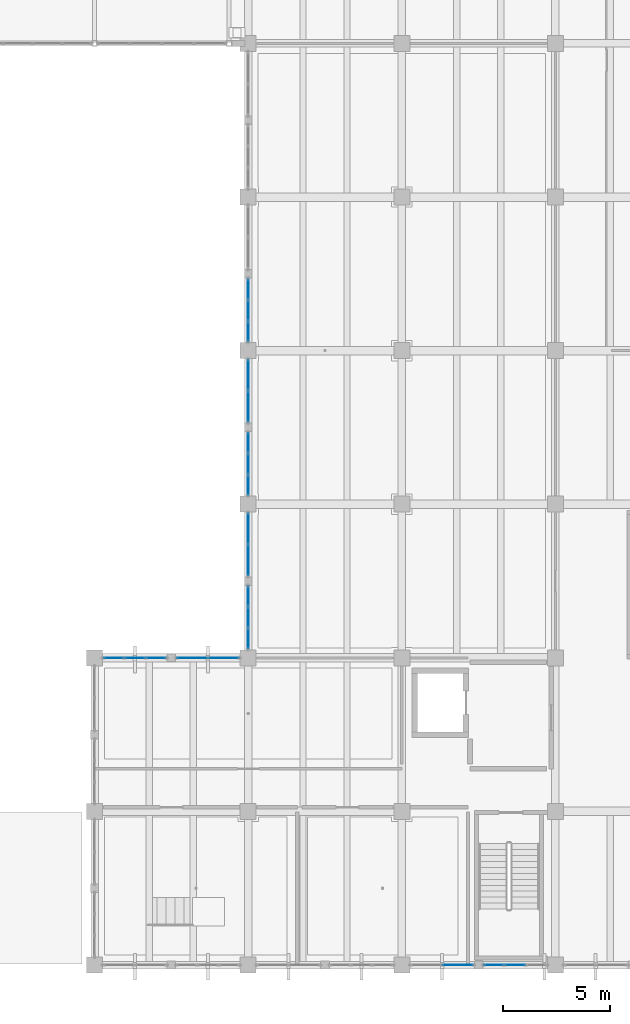
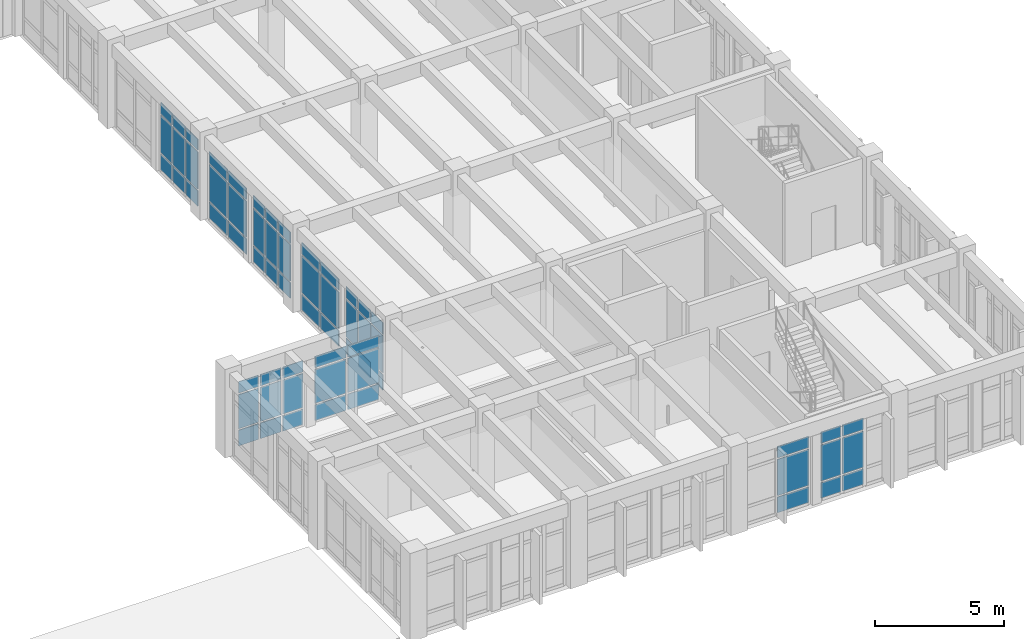
# One storey, part 87 of 136: 63 plates, 9 elements without a shape of their own.
"""IFC4 building model written with IfcOpenShell, lengths in metres."""

from ifc_helpers import new_model, si_unit, direction, frame, origin, origin_2d, place, context, subcontext, project, spatial, rectangle, extrude, material, layer, layer_set, type_object, element, aggregate, save


model = new_model("IFC4")

# Units and contexts
model_context = context("Model", 3, precision=1e-05, world=origin(), true_north=direction((0.0, 1.0)))
body_context = subcontext(model_context, "Body", "Model", "MODEL_VIEW")
ifc_project = project(units=[si_unit("LENGTHUNIT", "METRE"), si_unit("AREAUNIT", "SQUARE_METRE"), si_unit("VOLUMEUNIT", "CUBIC_METRE"), si_unit("PLANEANGLEUNIT", "RADIAN"), si_unit("MASSUNIT", "GRAM", prefix="KILO")], contexts=[model_context])

# Site, building, storey
site_placement = place(None, origin())
site = spatial("IfcSite", under=ifc_project, at=site_placement, CompositionType="ELEMENT")
building_placement = place(site_placement, origin())
building = spatial("IfcBuilding", under=site, at=building_placement, Name="Koriwan Promenade Central Fire Station", CompositionType="ELEMENT")
storey_placement = place(building_placement, frame((0.0, 0.0, 5.39990234375)))
storey = spatial("IfcBuildingStorey", under=building, at=storey_placement, Name="L01", CompositionType="ELEMENT", Elevation=5.39990234375)

# Curtain wall, plates
ifc_material_1 = material(Name="Aluminium EN AW-6063-T6 and low-E glazing", Category="aluminium")
ifc_layer_1 = layer(ifc_material_1, 0.159912109375, Name="Aluminium EN AW-6063-T6 and low-E glazing")
ifc_layer_set_1 = layer_set([ifc_layer_1], Name="Aluminium EN AW-6063-T6 and low-E glazing")
curtain_wall_type_1 = type_object("IfcCurtainWallType", Name="CurtainWall_61_303x329", PredefinedType="USERDEFINED", material=ifc_layer_set_1)
curtain_wall_1_placement = place(storey_placement, origin())
curtain_wall_1 = element("IfcCurtainWall", 1, at=curtain_wall_1_placement, inside=storey, type_object=curtain_wall_type_1, Name="V5 L01 unitised curtain wall 163", ObjectType="UNITISED CURTAIN WALL", PredefinedType="USERDEFINED")
ifc_material_2 = material(Name="Solar-control low-E acoustic glazing", Category="glass")
ifc_layer_2 = layer(ifc_material_2, 0.031982421875, Name="Solar-control low-E acoustic glazing")
ifc_layer_set_2 = layer_set([ifc_layer_2], Name="Solar-control low-E acoustic glazing")
plate_type = type_object("IfcPlateType", Name="CWPanel_32", PredefinedType="CURTAIN_PANEL", material=ifc_layer_set_2)
plate_1_placement = place(storey_placement, frame((163.71240234375, 0.0, 0.0751953125), z_axis=(0.0, 0.0, 1.0), x_axis=(-1.0, 0.0, 0.0)))
plate_1 = element("IfcPlate", 2, at=plate_1_placement, type_object=plate_type, Name="CW-61 panel 2.1", PredefinedType="CURTAIN_PANEL", context=body_context, shape_type="SweptSolid", body=[
    extrude(rectangle(XDim=0.933349609375, YDim=0.031982421875, at=origin_2d()), origin(), (0.0, 0.0, 1.0), 0.737548828125),
])
plate_2_placement = place(storey_placement, frame((163.71240234375, 0.0, 0.8876953125), z_axis=(0.0, 0.0, 1.0), x_axis=(-1.0, 0.0, 0.0)))
plate_2 = element("IfcPlate", 3, at=plate_2_placement, type_object=plate_type, Name="CW-61 panel 2.2", PredefinedType="CURTAIN_PANEL", context=body_context, shape_type="SweptSolid", body=[
    extrude(rectangle(XDim=0.933349609375, YDim=0.031982421875, at=origin_2d()), origin(), (0.0, 0.0, 1.0), 1.715087890625),
])
plate_3_placement = place(storey_placement, frame((163.71240234375, 0.0, 2.677490234375), z_axis=(0.0, 0.0, 1.0), x_axis=(-1.0, 0.0, 0.0)))
plate_3 = element("IfcPlate", 4, at=plate_3_placement, type_object=plate_type, Name="CW-61 panel 2.3", PredefinedType="CURTAIN_PANEL", context=body_context, shape_type="SweptSolid", body=[
    extrude(rectangle(XDim=0.933349609375, YDim=0.031982421875, at=origin_2d()), origin(), (0.0, 0.0, 1.0), 0.53759765625),
])
plate_4_placement = place(storey_placement, frame((162.722900390625, 0.0, 0.0751953125), z_axis=(0.0, 0.0, 1.0), x_axis=(-1.0, 0.0, 0.0)))
plate_4 = element("IfcPlate", 5, at=plate_4_placement, type_object=plate_type, Name="CW-61 panel 3.1", PredefinedType="CURTAIN_PANEL", context=body_context, shape_type="SweptSolid", body=[
    extrude(rectangle(XDim=0.895751953125, YDim=0.031982421875, at=origin_2d()), origin(), (0.0, 0.0, 1.0), 0.737548828125),
])
plate_5_placement = place(storey_placement, frame((162.722900390625, 0.0, 0.8876953125), z_axis=(0.0, 0.0, 1.0), x_axis=(-1.0, 0.0, 0.0)))
plate_5 = element("IfcPlate", 6, at=plate_5_placement, type_object=plate_type, Name="CW-61 panel 3.2", PredefinedType="CURTAIN_PANEL", context=body_context, shape_type="SweptSolid", body=[
    extrude(rectangle(XDim=0.895751953125, YDim=0.031982421875, at=origin_2d()), origin(), (0.0, 0.0, 1.0), 1.715087890625),
])
plate_6_placement = place(storey_placement, frame((162.722900390625, 0.0, 2.677490234375), z_axis=(0.0, 0.0, 1.0), x_axis=(-1.0, 0.0, 0.0)))
plate_6 = element("IfcPlate", 7, at=plate_6_placement, type_object=plate_type, Name="CW-61 panel 3.3", PredefinedType="CURTAIN_PANEL", context=body_context, shape_type="SweptSolid", body=[
    extrude(rectangle(XDim=0.895751953125, YDim=0.031982421875, at=origin_2d()), origin(), (0.0, 0.0, 1.0), 0.53759765625),
])
aggregate(curtain_wall_1, [plate_1, plate_2, plate_3, plate_4, plate_5, plate_6])

ifc_layer_3 = layer(ifc_material_1, 0.159912109375, Name="Aluminium EN AW-6063-T6 and low-E glazing")
ifc_layer_set_3 = layer_set([ifc_layer_3], Name="Aluminium EN AW-6063-T6 and low-E glazing")
curtain_wall_type_2 = type_object("IfcCurtainWallType", Name="CurtainWall_08_303x329", PredefinedType="USERDEFINED", material=ifc_layer_set_3)
curtain_wall_2_placement = place(storey_placement, origin())
curtain_wall_2 = element("IfcCurtainWall", 8, at=curtain_wall_2_placement, inside=storey, type_object=curtain_wall_type_2, Name="V5 L01 unitised curtain wall 164", ObjectType="UNITISED CURTAIN WALL", PredefinedType="USERDEFINED")
plate_7_placement = place(storey_placement, frame((161.02490234375, 0.0, 0.0751953125), z_axis=(0.0, 0.0, 1.0), x_axis=(-1.0, 0.0, 0.0)))
plate_7 = element("IfcPlate", 9, at=plate_7_placement, type_object=plate_type, Name="CW-08 panel 1.1", PredefinedType="CURTAIN_PANEL", context=body_context, shape_type="SweptSolid", body=[
    extrude(rectangle(XDim=1.39990234375, YDim=0.031982421875, at=origin_2d()), origin(), (0.0, 0.0, 1.0), 0.737548828125),
])
plate_8_placement = place(storey_placement, frame((161.02490234375, 0.0, 0.8876953125), z_axis=(0.0, 0.0, 1.0), x_axis=(-1.0, 0.0, 0.0)))
plate_8 = element("IfcPlate", 10, at=plate_8_placement, type_object=plate_type, Name="CW-08 panel 1.2", PredefinedType="CURTAIN_PANEL", context=body_context, shape_type="SweptSolid", body=[
    extrude(rectangle(XDim=1.39990234375, YDim=0.031982421875, at=origin_2d()), origin(), (0.0, 0.0, 1.0), 1.715087890625),
])
plate_9_placement = place(storey_placement, frame((161.02490234375, 0.0, 2.677490234375), z_axis=(0.0, 0.0, 1.0), x_axis=(-1.0, 0.0, 0.0)))
plate_9 = element("IfcPlate", 11, at=plate_9_placement, type_object=plate_type, Name="CW-08 panel 1.3", PredefinedType="CURTAIN_PANEL", context=body_context, shape_type="SweptSolid", body=[
    extrude(rectangle(XDim=1.39990234375, YDim=0.031982421875, at=origin_2d()), origin(), (0.0, 0.0, 1.0), 0.53759765625),
])
aggregate(curtain_wall_2, [plate_7, plate_8, plate_9])

ifc_layer_4 = layer(ifc_material_1, 0.159912109375, Name="Aluminium EN AW-6063-T6 and low-E glazing")
ifc_layer_set_4 = layer_set([ifc_layer_4], Name="Aluminium EN AW-6063-T6 and low-E glazing")
curtain_wall_type_3 = type_object("IfcCurtainWallType", Name="CurtainWall_65_303x319", PredefinedType="USERDEFINED", material=ifc_layer_set_4)
curtain_wall_3_placement = place(storey_placement, origin())
curtain_wall_3 = element("IfcCurtainWall", 12, at=curtain_wall_3_placement, inside=storey, type_object=curtain_wall_type_3, Name="V5 L01 unitised curtain wall 173", ObjectType="UNITISED CURTAIN WALL", PredefinedType="USERDEFINED")
plate_10_placement = place(storey_placement, frame((144.89794921875, 14.39990234375, 0.0751953125), z_axis=(0.0, 0.0, 1.0), x_axis=(1.0, 0.0, 0.0)))
plate_10 = element("IfcPlate", 13, at=plate_10_placement, type_object=plate_type, Name="CW-65 panel 1.1", PredefinedType="CURTAIN_PANEL", context=body_context, shape_type="SweptSolid", body=[
    extrude(rectangle(XDim=0.895751953125, YDim=0.031982421875, at=origin_2d()), origin(), (0.0, 0.0, 1.0), 0.737548828125),
])
plate_11_placement = place(storey_placement, frame((144.89794921875, 14.39990234375, 0.8876953125), z_axis=(0.0, 0.0, 1.0), x_axis=(1.0, 0.0, 0.0)))
plate_11 = element("IfcPlate", 14, at=plate_11_placement, type_object=plate_type, Name="CW-65 panel 1.2", PredefinedType="CURTAIN_PANEL", context=body_context, shape_type="SweptSolid", body=[
    extrude(rectangle(XDim=0.895751953125, YDim=0.031982421875, at=origin_2d()), origin(), (0.0, 0.0, 1.0), 1.614990234375),
])
plate_12_placement = place(storey_placement, frame((144.89794921875, 14.39990234375, 2.57763671875), z_axis=(0.0, 0.0, 1.0), x_axis=(1.0, 0.0, 0.0)))
plate_12 = element("IfcPlate", 15, at=plate_12_placement, type_object=plate_type, Name="CW-65 panel 1.3", PredefinedType="CURTAIN_PANEL", context=body_context, shape_type="SweptSolid", body=[
    extrude(rectangle(XDim=0.895751953125, YDim=0.031982421875, at=origin_2d()), origin(), (0.0, 0.0, 1.0), 0.53759765625),
])
plate_13_placement = place(storey_placement, frame((145.887451171875, 14.39990234375, 0.0751953125), z_axis=(0.0, 0.0, 1.0), x_axis=(1.0, 0.0, 0.0)))
plate_13 = element("IfcPlate", 16, at=plate_13_placement, type_object=plate_type, Name="CW-65 panel 2.1", PredefinedType="CURTAIN_PANEL", context=body_context, shape_type="SweptSolid", body=[
    extrude(rectangle(XDim=0.933349609375, YDim=0.031982421875, at=origin_2d()), origin(), (0.0, 0.0, 1.0), 0.737548828125),
])
plate_14_placement = place(storey_placement, frame((145.887451171875, 14.39990234375, 0.8876953125), z_axis=(0.0, 0.0, 1.0), x_axis=(1.0, 0.0, 0.0)))
plate_14 = element("IfcPlate", 17, at=plate_14_placement, type_object=plate_type, Name="CW-65 panel 2.2", PredefinedType="CURTAIN_PANEL", context=body_context, shape_type="SweptSolid", body=[
    extrude(rectangle(XDim=0.933349609375, YDim=0.031982421875, at=origin_2d()), origin(), (0.0, 0.0, 1.0), 1.614990234375),
])
plate_15_placement = place(storey_placement, frame((145.887451171875, 14.39990234375, 2.57763671875), z_axis=(0.0, 0.0, 1.0), x_axis=(1.0, 0.0, 0.0)))
plate_15 = element("IfcPlate", 18, at=plate_15_placement, type_object=plate_type, Name="CW-65 panel 2.3", PredefinedType="CURTAIN_PANEL", context=body_context, shape_type="SweptSolid", body=[
    extrude(rectangle(XDim=0.933349609375, YDim=0.031982421875, at=origin_2d()), origin(), (0.0, 0.0, 1.0), 0.53759765625),
])
plate_16_placement = place(storey_placement, frame((146.877197265625, 14.39990234375, 0.0751953125), z_axis=(0.0, 0.0, 1.0), x_axis=(1.0, 0.0, 0.0)))
plate_16 = element("IfcPlate", 19, at=plate_16_placement, type_object=plate_type, Name="CW-65 panel 3.1", PredefinedType="CURTAIN_PANEL", context=body_context, shape_type="SweptSolid", body=[
    extrude(rectangle(XDim=0.895751953125, YDim=0.031982421875, at=origin_2d()), origin(), (0.0, 0.0, 1.0), 0.737548828125),
])
plate_17_placement = place(storey_placement, frame((146.877197265625, 14.39990234375, 0.8876953125), z_axis=(0.0, 0.0, 1.0), x_axis=(1.0, 0.0, 0.0)))
plate_17 = element("IfcPlate", 20, at=plate_17_placement, type_object=plate_type, Name="CW-65 panel 3.2", PredefinedType="CURTAIN_PANEL", context=body_context, shape_type="SweptSolid", body=[
    extrude(rectangle(XDim=0.895751953125, YDim=0.031982421875, at=origin_2d()), origin(), (0.0, 0.0, 1.0), 1.614990234375),
])
plate_18_placement = place(storey_placement, frame((146.877197265625, 14.39990234375, 2.57763671875), z_axis=(0.0, 0.0, 1.0), x_axis=(1.0, 0.0, 0.0)))
plate_18 = element("IfcPlate", 21, at=plate_18_placement, type_object=plate_type, Name="CW-65 panel 3.3", PredefinedType="CURTAIN_PANEL", context=body_context, shape_type="SweptSolid", body=[
    extrude(rectangle(XDim=0.895751953125, YDim=0.031982421875, at=origin_2d()), origin(), (0.0, 0.0, 1.0), 0.53759765625),
])
aggregate(curtain_wall_3, [plate_10, plate_11, plate_12, plate_13, plate_14, plate_15, plate_16, plate_17, plate_18])

ifc_layer_5 = layer(ifc_material_1, 0.159912109375, Name="Aluminium EN AW-6063-T6 and low-E glazing")
ifc_layer_set_5 = layer_set([ifc_layer_5], Name="Aluminium EN AW-6063-T6 and low-E glazing")
curtain_wall_type_4 = type_object("IfcCurtainWallType", Name="CurtainWall_66_302x319", PredefinedType="USERDEFINED", material=ifc_layer_set_5)
curtain_wall_4_placement = place(storey_placement, origin())
curtain_wall_4 = element("IfcCurtainWall", 22, at=curtain_wall_4_placement, inside=storey, type_object=curtain_wall_type_4, Name="V5 L01 unitised curtain wall 174", ObjectType="UNITISED CURTAIN WALL", PredefinedType="USERDEFINED")
plate_19_placement = place(storey_placement, frame((148.574951171875, 14.39990234375, 0.0751953125), z_axis=(0.0, 0.0, 1.0), x_axis=(1.0, 0.0, 0.0)))
plate_19 = element("IfcPlate", 23, at=plate_19_placement, type_object=plate_type, Name="CW-66 panel 1.1", PredefinedType="CURTAIN_PANEL", context=body_context, shape_type="SweptSolid", body=[
    extrude(rectangle(XDim=1.39990234375, YDim=0.031982421875, at=origin_2d()), origin(), (0.0, 0.0, 1.0), 0.737548828125),
])
plate_20_placement = place(storey_placement, frame((148.574951171875, 14.39990234375, 0.8876953125), z_axis=(0.0, 0.0, 1.0), x_axis=(1.0, 0.0, 0.0)))
plate_20 = element("IfcPlate", 24, at=plate_20_placement, type_object=plate_type, Name="CW-66 panel 1.2", PredefinedType="CURTAIN_PANEL", context=body_context, shape_type="SweptSolid", body=[
    extrude(rectangle(XDim=1.39990234375, YDim=0.031982421875, at=origin_2d()), origin(), (0.0, 0.0, 1.0), 1.614990234375),
])
plate_21_placement = place(storey_placement, frame((148.574951171875, 14.39990234375, 2.57763671875), z_axis=(0.0, 0.0, 1.0), x_axis=(1.0, 0.0, 0.0)))
plate_21 = element("IfcPlate", 25, at=plate_21_placement, type_object=plate_type, Name="CW-66 panel 1.3", PredefinedType="CURTAIN_PANEL", context=body_context, shape_type="SweptSolid", body=[
    extrude(rectangle(XDim=1.39990234375, YDim=0.031982421875, at=origin_2d()), origin(), (0.0, 0.0, 1.0), 0.53759765625),
])
plate_22_placement = place(storey_placement, frame((150.050048828125, 14.39990234375, 0.0751953125), z_axis=(0.0, 0.0, 1.0), x_axis=(1.0, 0.0, 0.0)))
plate_22 = element("IfcPlate", 26, at=plate_22_placement, type_object=plate_type, Name="CW-66 panel 2.1", PredefinedType="CURTAIN_PANEL", context=body_context, shape_type="SweptSolid", body=[
    extrude(rectangle(XDim=1.39990234375, YDim=0.031982421875, at=origin_2d()), origin(), (0.0, 0.0, 1.0), 0.737548828125),
])
plate_23_placement = place(storey_placement, frame((150.050048828125, 14.39990234375, 0.8876953125), z_axis=(0.0, 0.0, 1.0), x_axis=(1.0, 0.0, 0.0)))
plate_23 = element("IfcPlate", 27, at=plate_23_placement, type_object=plate_type, Name="CW-66 panel 2.2", PredefinedType="CURTAIN_PANEL", context=body_context, shape_type="SweptSolid", body=[
    extrude(rectangle(XDim=1.39990234375, YDim=0.031982421875, at=origin_2d()), origin(), (0.0, 0.0, 1.0), 1.614990234375),
])
plate_24_placement = place(storey_placement, frame((150.050048828125, 14.39990234375, 2.57763671875), z_axis=(0.0, 0.0, 1.0), x_axis=(1.0, 0.0, 0.0)))
plate_24 = element("IfcPlate", 28, at=plate_24_placement, type_object=plate_type, Name="CW-66 panel 2.3", PredefinedType="CURTAIN_PANEL", context=body_context, shape_type="SweptSolid", body=[
    extrude(rectangle(XDim=1.39990234375, YDim=0.031982421875, at=origin_2d()), origin(), (0.0, 0.0, 1.0), 0.53759765625),
])
aggregate(curtain_wall_4, [plate_19, plate_20, plate_21, plate_22, plate_23, plate_24])

ifc_layer_6 = layer(ifc_material_1, 0.159912109375, Name="Aluminium EN AW-6063-T6 and low-E glazing")
ifc_layer_set_6 = layer_set([ifc_layer_6], Name="Aluminium EN AW-6063-T6 and low-E glazing")
curtain_wall_type_5 = type_object("IfcCurtainWallType", Name="CurtainWall_67_303x334", PredefinedType="USERDEFINED", material=ifc_layer_set_6)
curtain_wall_5_placement = place(storey_placement, origin())
curtain_wall_5 = element("IfcCurtainWall", 29, at=curtain_wall_5_placement, inside=storey, type_object=curtain_wall_type_5, Name="V5 L01 unitised curtain wall 175", ObjectType="UNITISED CURTAIN WALL", PredefinedType="USERDEFINED")
plate_25_placement = place(storey_placement, frame((151.199951171875, 15.2978515625, 0.0751953125), z_axis=(0.0, 0.0, 1.0), x_axis=(0.0, 1.0, 0.0)))
plate_25 = element("IfcPlate", 30, at=plate_25_placement, type_object=plate_type, Name="CW-67 panel 1.1", PredefinedType="CURTAIN_PANEL", context=body_context, shape_type="SweptSolid", body=[
    extrude(rectangle(XDim=0.895751953125, YDim=0.031982421875, at=origin_2d()), origin(), (0.0, 0.0, 1.0), 0.737548828125),
])
plate_26_placement = place(storey_placement, frame((151.199951171875, 15.2978515625, 0.8876953125), z_axis=(0.0, 0.0, 1.0), x_axis=(0.0, 1.0, 0.0)))
plate_26 = element("IfcPlate", 31, at=plate_26_placement, type_object=plate_type, Name="CW-67 panel 1.2", PredefinedType="CURTAIN_PANEL", context=body_context, shape_type="SweptSolid", body=[
    extrude(rectangle(XDim=0.895751953125, YDim=0.031982421875, at=origin_2d()), origin(), (0.0, 0.0, 1.0), 1.764892578125),
])
plate_27_placement = place(storey_placement, frame((151.199951171875, 15.2978515625, 2.7275390625), z_axis=(0.0, 0.0, 1.0), x_axis=(0.0, 1.0, 0.0)))
plate_27 = element("IfcPlate", 32, at=plate_27_placement, type_object=plate_type, Name="CW-67 panel 1.3", PredefinedType="CURTAIN_PANEL", context=body_context, shape_type="SweptSolid", body=[
    extrude(rectangle(XDim=0.895751953125, YDim=0.031982421875, at=origin_2d()), origin(), (0.0, 0.0, 1.0), 0.53759765625),
])
plate_28_placement = place(storey_placement, frame((151.199951171875, 16.28759765625, 0.0751953125), z_axis=(0.0, 0.0, 1.0), x_axis=(0.0, 1.0, 0.0)))
plate_28 = element("IfcPlate", 33, at=plate_28_placement, type_object=plate_type, Name="CW-67 panel 2.1", PredefinedType="CURTAIN_PANEL", context=body_context, shape_type="SweptSolid", body=[
    extrude(rectangle(XDim=0.933349609375, YDim=0.031982421875, at=origin_2d()), origin(), (0.0, 0.0, 1.0), 0.737548828125),
])
plate_29_placement = place(storey_placement, frame((151.199951171875, 16.28759765625, 0.8876953125), z_axis=(0.0, 0.0, 1.0), x_axis=(0.0, 1.0, 0.0)))
plate_29 = element("IfcPlate", 34, at=plate_29_placement, type_object=plate_type, Name="CW-67 panel 2.2", PredefinedType="CURTAIN_PANEL", context=body_context, shape_type="SweptSolid", body=[
    extrude(rectangle(XDim=0.933349609375, YDim=0.031982421875, at=origin_2d()), origin(), (0.0, 0.0, 1.0), 1.764892578125),
])
plate_30_placement = place(storey_placement, frame((151.199951171875, 16.28759765625, 2.7275390625), z_axis=(0.0, 0.0, 1.0), x_axis=(0.0, 1.0, 0.0)))
plate_30 = element("IfcPlate", 35, at=plate_30_placement, type_object=plate_type, Name="CW-67 panel 2.3", PredefinedType="CURTAIN_PANEL", context=body_context, shape_type="SweptSolid", body=[
    extrude(rectangle(XDim=0.933349609375, YDim=0.031982421875, at=origin_2d()), origin(), (0.0, 0.0, 1.0), 0.53759765625),
])
plate_31_placement = place(storey_placement, frame((151.199951171875, 17.277099609375, 0.0751953125), z_axis=(0.0, 0.0, 1.0), x_axis=(0.0, 1.0, 0.0)))
plate_31 = element("IfcPlate", 36, at=plate_31_placement, type_object=plate_type, Name="CW-67 panel 3.1", PredefinedType="CURTAIN_PANEL", context=body_context, shape_type="SweptSolid", body=[
    extrude(rectangle(XDim=0.895751953125, YDim=0.031982421875, at=origin_2d()), origin(), (0.0, 0.0, 1.0), 0.737548828125),
])
plate_32_placement = place(storey_placement, frame((151.199951171875, 17.277099609375, 0.8876953125), z_axis=(0.0, 0.0, 1.0), x_axis=(0.0, 1.0, 0.0)))
plate_32 = element("IfcPlate", 37, at=plate_32_placement, type_object=plate_type, Name="CW-67 panel 3.2", PredefinedType="CURTAIN_PANEL", context=body_context, shape_type="SweptSolid", body=[
    extrude(rectangle(XDim=0.895751953125, YDim=0.031982421875, at=origin_2d()), origin(), (0.0, 0.0, 1.0), 1.764892578125),
])
plate_33_placement = place(storey_placement, frame((151.199951171875, 17.277099609375, 2.7275390625), z_axis=(0.0, 0.0, 1.0), x_axis=(0.0, 1.0, 0.0)))
plate_33 = element("IfcPlate", 38, at=plate_33_placement, type_object=plate_type, Name="CW-67 panel 3.3", PredefinedType="CURTAIN_PANEL", context=body_context, shape_type="SweptSolid", body=[
    extrude(rectangle(XDim=0.895751953125, YDim=0.031982421875, at=origin_2d()), origin(), (0.0, 0.0, 1.0), 0.53759765625),
])
aggregate(curtain_wall_5, [plate_25, plate_26, plate_27, plate_28, plate_29, plate_30, plate_31, plate_32, plate_33])

ifc_layer_7 = layer(ifc_material_1, 0.159912109375, Name="Aluminium EN AW-6063-T6 and low-E glazing")
ifc_layer_set_7 = layer_set([ifc_layer_7], Name="Aluminium EN AW-6063-T6 and low-E glazing")
curtain_wall_type_6 = type_object("IfcCurtainWallType", Name="CurtainWall_64_303x334", PredefinedType="USERDEFINED", material=ifc_layer_set_7)
curtain_wall_6_placement = place(storey_placement, origin())
curtain_wall_6 = element("IfcCurtainWall", 39, at=curtain_wall_6_placement, inside=storey, type_object=curtain_wall_type_6, Name="V5 L01 unitised curtain wall 176", ObjectType="UNITISED CURTAIN WALL", PredefinedType="USERDEFINED")
plate_34_placement = place(storey_placement, frame((151.199951171875, 18.97509765625, 0.0751953125), z_axis=(0.0, 0.0, 1.0), x_axis=(0.0, 1.0, 0.0)))
plate_34 = element("IfcPlate", 40, at=plate_34_placement, type_object=plate_type, Name="CW-64 panel 1.1", PredefinedType="CURTAIN_PANEL", context=body_context, shape_type="SweptSolid", body=[
    extrude(rectangle(XDim=1.39990234375, YDim=0.031982421875, at=origin_2d()), origin(), (0.0, 0.0, 1.0), 0.737548828125),
])
plate_35_placement = place(storey_placement, frame((151.199951171875, 18.97509765625, 0.8876953125), z_axis=(0.0, 0.0, 1.0), x_axis=(0.0, 1.0, 0.0)))
plate_35 = element("IfcPlate", 41, at=plate_35_placement, type_object=plate_type, Name="CW-64 panel 1.2", PredefinedType="CURTAIN_PANEL", context=body_context, shape_type="SweptSolid", body=[
    extrude(rectangle(XDim=1.39990234375, YDim=0.031982421875, at=origin_2d()), origin(), (0.0, 0.0, 1.0), 1.764892578125),
])
plate_36_placement = place(storey_placement, frame((151.199951171875, 18.97509765625, 2.7275390625), z_axis=(0.0, 0.0, 1.0), x_axis=(0.0, 1.0, 0.0)))
plate_36 = element("IfcPlate", 42, at=plate_36_placement, type_object=plate_type, Name="CW-64 panel 1.3", PredefinedType="CURTAIN_PANEL", context=body_context, shape_type="SweptSolid", body=[
    extrude(rectangle(XDim=1.39990234375, YDim=0.031982421875, at=origin_2d()), origin(), (0.0, 0.0, 1.0), 0.53759765625),
])
plate_37_placement = place(storey_placement, frame((151.199951171875, 20.449951171875, 0.0751953125), z_axis=(0.0, 0.0, 1.0), x_axis=(0.0, 1.0, 0.0)))
plate_37 = element("IfcPlate", 43, at=plate_37_placement, type_object=plate_type, Name="CW-64 panel 2.1", PredefinedType="CURTAIN_PANEL", context=body_context, shape_type="SweptSolid", body=[
    extrude(rectangle(XDim=1.39990234375, YDim=0.031982421875, at=origin_2d()), origin(), (0.0, 0.0, 1.0), 0.737548828125),
])
plate_38_placement = place(storey_placement, frame((151.199951171875, 20.449951171875, 0.8876953125), z_axis=(0.0, 0.0, 1.0), x_axis=(0.0, 1.0, 0.0)))
plate_38 = element("IfcPlate", 44, at=plate_38_placement, type_object=plate_type, Name="CW-64 panel 2.2", PredefinedType="CURTAIN_PANEL", context=body_context, shape_type="SweptSolid", body=[
    extrude(rectangle(XDim=1.39990234375, YDim=0.031982421875, at=origin_2d()), origin(), (0.0, 0.0, 1.0), 1.764892578125),
])
plate_39_placement = place(storey_placement, frame((151.199951171875, 20.449951171875, 2.7275390625), z_axis=(0.0, 0.0, 1.0), x_axis=(0.0, 1.0, 0.0)))
plate_39 = element("IfcPlate", 45, at=plate_39_placement, type_object=plate_type, Name="CW-64 panel 2.3", PredefinedType="CURTAIN_PANEL", context=body_context, shape_type="SweptSolid", body=[
    extrude(rectangle(XDim=1.39990234375, YDim=0.031982421875, at=origin_2d()), origin(), (0.0, 0.0, 1.0), 0.53759765625),
])
aggregate(curtain_wall_6, [plate_34, plate_35, plate_36, plate_37, plate_38, plate_39])

ifc_layer_8 = layer(ifc_material_1, 0.159912109375, Name="Aluminium EN AW-6063-T6 and low-E glazing")
ifc_layer_set_8 = layer_set([ifc_layer_8], Name="Aluminium EN AW-6063-T6 and low-E glazing")
curtain_wall_type_7 = type_object("IfcCurtainWallType", Name="CurtainWall_62_302x329", PredefinedType="USERDEFINED", material=ifc_layer_set_8)
curtain_wall_7_placement = place(storey_placement, origin())
curtain_wall_7 = element("IfcCurtainWall", 46, at=curtain_wall_7_placement, inside=storey, type_object=curtain_wall_type_7, Name="V5 L01 unitised curtain wall 177", ObjectType="UNITISED CURTAIN WALL", PredefinedType="USERDEFINED")
plate_40_placement = place(storey_placement, frame((151.199951171875, 22.497802734375, 0.0751953125), z_axis=(0.0, 0.0, 1.0), x_axis=(0.0, 1.0, 0.0)))
plate_40 = element("IfcPlate", 47, at=plate_40_placement, type_object=plate_type, Name="CW-62 panel 1.1", PredefinedType="CURTAIN_PANEL", context=body_context, shape_type="SweptSolid", body=[
    extrude(rectangle(XDim=0.895751953125, YDim=0.031982421875, at=origin_2d()), origin(), (0.0, 0.0, 1.0), 0.737548828125),
])
plate_41_placement = place(storey_placement, frame((151.199951171875, 22.497802734375, 0.8876953125), z_axis=(0.0, 0.0, 1.0), x_axis=(0.0, 1.0, 0.0)))
plate_41 = element("IfcPlate", 48, at=plate_41_placement, type_object=plate_type, Name="CW-62 panel 1.2", PredefinedType="CURTAIN_PANEL", context=body_context, shape_type="SweptSolid", body=[
    extrude(rectangle(XDim=0.895751953125, YDim=0.031982421875, at=origin_2d()), origin(), (0.0, 0.0, 1.0), 1.715087890625),
])
plate_42_placement = place(storey_placement, frame((151.199951171875, 22.497802734375, 2.677490234375), z_axis=(0.0, 0.0, 1.0), x_axis=(0.0, 1.0, 0.0)))
plate_42 = element("IfcPlate", 49, at=plate_42_placement, type_object=plate_type, Name="CW-62 panel 1.3", PredefinedType="CURTAIN_PANEL", context=body_context, shape_type="SweptSolid", body=[
    extrude(rectangle(XDim=0.895751953125, YDim=0.031982421875, at=origin_2d()), origin(), (0.0, 0.0, 1.0), 0.53759765625),
])
plate_43_placement = place(storey_placement, frame((151.199951171875, 23.487548828125, 0.0751953125), z_axis=(0.0, 0.0, 1.0), x_axis=(0.0, 1.0, 0.0)))
plate_43 = element("IfcPlate", 50, at=plate_43_placement, type_object=plate_type, Name="CW-62 panel 2.1", PredefinedType="CURTAIN_PANEL", context=body_context, shape_type="SweptSolid", body=[
    extrude(rectangle(XDim=0.933349609375, YDim=0.031982421875, at=origin_2d()), origin(), (0.0, 0.0, 1.0), 0.737548828125),
])
plate_44_placement = place(storey_placement, frame((151.199951171875, 23.487548828125, 0.8876953125), z_axis=(0.0, 0.0, 1.0), x_axis=(0.0, 1.0, 0.0)))
plate_44 = element("IfcPlate", 51, at=plate_44_placement, type_object=plate_type, Name="CW-62 panel 2.2", PredefinedType="CURTAIN_PANEL", context=body_context, shape_type="SweptSolid", body=[
    extrude(rectangle(XDim=0.933349609375, YDim=0.031982421875, at=origin_2d()), origin(), (0.0, 0.0, 1.0), 1.715087890625),
])
plate_45_placement = place(storey_placement, frame((151.199951171875, 23.487548828125, 2.677490234375), z_axis=(0.0, 0.0, 1.0), x_axis=(0.0, 1.0, 0.0)))
plate_45 = element("IfcPlate", 52, at=plate_45_placement, type_object=plate_type, Name="CW-62 panel 2.3", PredefinedType="CURTAIN_PANEL", context=body_context, shape_type="SweptSolid", body=[
    extrude(rectangle(XDim=0.933349609375, YDim=0.031982421875, at=origin_2d()), origin(), (0.0, 0.0, 1.0), 0.53759765625),
])
plate_46_placement = place(storey_placement, frame((151.199951171875, 24.47705078125, 0.0751953125), z_axis=(0.0, 0.0, 1.0), x_axis=(0.0, 1.0, 0.0)))
plate_46 = element("IfcPlate", 53, at=plate_46_placement, type_object=plate_type, Name="CW-62 panel 3.1", PredefinedType="CURTAIN_PANEL", context=body_context, shape_type="SweptSolid", body=[
    extrude(rectangle(XDim=0.895751953125, YDim=0.031982421875, at=origin_2d()), origin(), (0.0, 0.0, 1.0), 0.737548828125),
])
plate_47_placement = place(storey_placement, frame((151.199951171875, 24.47705078125, 0.8876953125), z_axis=(0.0, 0.0, 1.0), x_axis=(0.0, 1.0, 0.0)))
plate_47 = element("IfcPlate", 54, at=plate_47_placement, type_object=plate_type, Name="CW-62 panel 3.2", PredefinedType="CURTAIN_PANEL", context=body_context, shape_type="SweptSolid", body=[
    extrude(rectangle(XDim=0.895751953125, YDim=0.031982421875, at=origin_2d()), origin(), (0.0, 0.0, 1.0), 1.715087890625),
])
plate_48_placement = place(storey_placement, frame((151.199951171875, 24.47705078125, 2.677490234375), z_axis=(0.0, 0.0, 1.0), x_axis=(0.0, 1.0, 0.0)))
plate_48 = element("IfcPlate", 55, at=plate_48_placement, type_object=plate_type, Name="CW-62 panel 3.3", PredefinedType="CURTAIN_PANEL", context=body_context, shape_type="SweptSolid", body=[
    extrude(rectangle(XDim=0.895751953125, YDim=0.031982421875, at=origin_2d()), origin(), (0.0, 0.0, 1.0), 0.53759765625),
])
aggregate(curtain_wall_7, [plate_40, plate_41, plate_42, plate_43, plate_44, plate_45, plate_46, plate_47, plate_48])

curtain_wall_8_placement = place(storey_placement, origin())
curtain_wall_8 = element("IfcCurtainWall", 56, at=curtain_wall_8_placement, inside=storey, type_object=curtain_wall_type_2, Name="V5 L01 unitised curtain wall 178", ObjectType="UNITISED CURTAIN WALL", PredefinedType="USERDEFINED")
plate_49_placement = place(storey_placement, frame((151.199951171875, 26.175048828125, 0.0751953125), z_axis=(0.0, 0.0, 1.0), x_axis=(0.0, 1.0, 0.0)))
plate_49 = element("IfcPlate", 57, at=plate_49_placement, type_object=plate_type, Name="CW-08 panel 1.1", PredefinedType="CURTAIN_PANEL", context=body_context, shape_type="SweptSolid", body=[
    extrude(rectangle(XDim=1.39990234375, YDim=0.031982421875, at=origin_2d()), origin(), (0.0, 0.0, 1.0), 0.737548828125),
])
plate_50_placement = place(storey_placement, frame((151.199951171875, 26.175048828125, 0.8876953125), z_axis=(0.0, 0.0, 1.0), x_axis=(0.0, 1.0, 0.0)))
plate_50 = element("IfcPlate", 58, at=plate_50_placement, type_object=plate_type, Name="CW-08 panel 1.2", PredefinedType="CURTAIN_PANEL", context=body_context, shape_type="SweptSolid", body=[
    extrude(rectangle(XDim=1.39990234375, YDim=0.031982421875, at=origin_2d()), origin(), (0.0, 0.0, 1.0), 1.715087890625),
])
plate_51_placement = place(storey_placement, frame((151.199951171875, 26.175048828125, 2.677490234375), z_axis=(0.0, 0.0, 1.0), x_axis=(0.0, 1.0, 0.0)))
plate_51 = element("IfcPlate", 59, at=plate_51_placement, type_object=plate_type, Name="CW-08 panel 1.3", PredefinedType="CURTAIN_PANEL", context=body_context, shape_type="SweptSolid", body=[
    extrude(rectangle(XDim=1.39990234375, YDim=0.031982421875, at=origin_2d()), origin(), (0.0, 0.0, 1.0), 0.53759765625),
])
plate_52_placement = place(storey_placement, frame((151.199951171875, 27.64990234375, 0.0751953125), z_axis=(0.0, 0.0, 1.0), x_axis=(0.0, 1.0, 0.0)))
plate_52 = element("IfcPlate", 60, at=plate_52_placement, type_object=plate_type, Name="CW-08 panel 2.1", PredefinedType="CURTAIN_PANEL", context=body_context, shape_type="SweptSolid", body=[
    extrude(rectangle(XDim=1.39990234375, YDim=0.031982421875, at=origin_2d()), origin(), (0.0, 0.0, 1.0), 0.737548828125),
])
plate_53_placement = place(storey_placement, frame((151.199951171875, 27.64990234375, 0.8876953125), z_axis=(0.0, 0.0, 1.0), x_axis=(0.0, 1.0, 0.0)))
plate_53 = element("IfcPlate", 61, at=plate_53_placement, type_object=plate_type, Name="CW-08 panel 2.2", PredefinedType="CURTAIN_PANEL", context=body_context, shape_type="SweptSolid", body=[
    extrude(rectangle(XDim=1.39990234375, YDim=0.031982421875, at=origin_2d()), origin(), (0.0, 0.0, 1.0), 1.715087890625),
])
plate_54_placement = place(storey_placement, frame((151.199951171875, 27.64990234375, 2.677490234375), z_axis=(0.0, 0.0, 1.0), x_axis=(0.0, 1.0, 0.0)))
plate_54 = element("IfcPlate", 62, at=plate_54_placement, type_object=plate_type, Name="CW-08 panel 2.3", PredefinedType="CURTAIN_PANEL", context=body_context, shape_type="SweptSolid", body=[
    extrude(rectangle(XDim=1.39990234375, YDim=0.031982421875, at=origin_2d()), origin(), (0.0, 0.0, 1.0), 0.53759765625),
])
aggregate(curtain_wall_8, [plate_49, plate_50, plate_51, plate_52, plate_53, plate_54])

curtain_wall_9_placement = place(storey_placement, origin())
curtain_wall_9 = element("IfcCurtainWall", 63, at=curtain_wall_9_placement, inside=storey, type_object=curtain_wall_type_5, Name="V5 L01 unitised curtain wall 179", ObjectType="UNITISED CURTAIN WALL", PredefinedType="USERDEFINED")
plate_55_placement = place(storey_placement, frame((151.199951171875, 29.697998046875, 0.0751953125), z_axis=(0.0, 0.0, 1.0), x_axis=(0.0, 1.0, 0.0)))
plate_55 = element("IfcPlate", 64, at=plate_55_placement, type_object=plate_type, Name="CW-67 panel 1.1", PredefinedType="CURTAIN_PANEL", context=body_context, shape_type="SweptSolid", body=[
    extrude(rectangle(XDim=0.895751953125, YDim=0.031982421875, at=origin_2d()), origin(), (0.0, 0.0, 1.0), 0.737548828125),
])
plate_56_placement = place(storey_placement, frame((151.199951171875, 29.697998046875, 0.8876953125), z_axis=(0.0, 0.0, 1.0), x_axis=(0.0, 1.0, 0.0)))
plate_56 = element("IfcPlate", 65, at=plate_56_placement, type_object=plate_type, Name="CW-67 panel 1.2", PredefinedType="CURTAIN_PANEL", context=body_context, shape_type="SweptSolid", body=[
    extrude(rectangle(XDim=0.895751953125, YDim=0.031982421875, at=origin_2d()), origin(), (0.0, 0.0, 1.0), 1.764892578125),
])
plate_57_placement = place(storey_placement, frame((151.199951171875, 29.697998046875, 2.7275390625), z_axis=(0.0, 0.0, 1.0), x_axis=(0.0, 1.0, 0.0)))
plate_57 = element("IfcPlate", 66, at=plate_57_placement, type_object=plate_type, Name="CW-67 panel 1.3", PredefinedType="CURTAIN_PANEL", context=body_context, shape_type="SweptSolid", body=[
    extrude(rectangle(XDim=0.895751953125, YDim=0.031982421875, at=origin_2d()), origin(), (0.0, 0.0, 1.0), 0.53759765625),
])
plate_58_placement = place(storey_placement, frame((151.199951171875, 30.6875, 0.0751953125), z_axis=(0.0, 0.0, 1.0), x_axis=(0.0, 1.0, 0.0)))
plate_58 = element("IfcPlate", 67, at=plate_58_placement, type_object=plate_type, Name="CW-67 panel 2.1", PredefinedType="CURTAIN_PANEL", context=body_context, shape_type="SweptSolid", body=[
    extrude(rectangle(XDim=0.933349609375, YDim=0.031982421875, at=origin_2d()), origin(), (0.0, 0.0, 1.0), 0.737548828125),
])
plate_59_placement = place(storey_placement, frame((151.199951171875, 30.6875, 0.8876953125), z_axis=(0.0, 0.0, 1.0), x_axis=(0.0, 1.0, 0.0)))
plate_59 = element("IfcPlate", 68, at=plate_59_placement, type_object=plate_type, Name="CW-67 panel 2.2", PredefinedType="CURTAIN_PANEL", context=body_context, shape_type="SweptSolid", body=[
    extrude(rectangle(XDim=0.933349609375, YDim=0.031982421875, at=origin_2d()), origin(), (0.0, 0.0, 1.0), 1.764892578125),
])
plate_60_placement = place(storey_placement, frame((151.199951171875, 30.6875, 2.7275390625), z_axis=(0.0, 0.0, 1.0), x_axis=(0.0, 1.0, 0.0)))
plate_60 = element("IfcPlate", 69, at=plate_60_placement, type_object=plate_type, Name="CW-67 panel 2.3", PredefinedType="CURTAIN_PANEL", context=body_context, shape_type="SweptSolid", body=[
    extrude(rectangle(XDim=0.933349609375, YDim=0.031982421875, at=origin_2d()), origin(), (0.0, 0.0, 1.0), 0.53759765625),
])
plate_61_placement = place(storey_placement, frame((151.199951171875, 31.677001953125, 0.0751953125), z_axis=(0.0, 0.0, 1.0), x_axis=(0.0, 1.0, 0.0)))
plate_61 = element("IfcPlate", 70, at=plate_61_placement, type_object=plate_type, Name="CW-67 panel 3.1", PredefinedType="CURTAIN_PANEL", context=body_context, shape_type="SweptSolid", body=[
    extrude(rectangle(XDim=0.895751953125, YDim=0.031982421875, at=origin_2d()), origin(), (0.0, 0.0, 1.0), 0.737548828125),
])
plate_62_placement = place(storey_placement, frame((151.199951171875, 31.677001953125, 0.8876953125), z_axis=(0.0, 0.0, 1.0), x_axis=(0.0, 1.0, 0.0)))
plate_62 = element("IfcPlate", 71, at=plate_62_placement, type_object=plate_type, Name="CW-67 panel 3.2", PredefinedType="CURTAIN_PANEL", context=body_context, shape_type="SweptSolid", body=[
    extrude(rectangle(XDim=0.895751953125, YDim=0.031982421875, at=origin_2d()), origin(), (0.0, 0.0, 1.0), 1.764892578125),
])
plate_63_placement = place(storey_placement, frame((151.199951171875, 31.677001953125, 2.7275390625), z_axis=(0.0, 0.0, 1.0), x_axis=(0.0, 1.0, 0.0)))
plate_63 = element("IfcPlate", 72, at=plate_63_placement, type_object=plate_type, Name="CW-67 panel 3.3", PredefinedType="CURTAIN_PANEL", context=body_context, shape_type="SweptSolid", body=[
    extrude(rectangle(XDim=0.895751953125, YDim=0.031982421875, at=origin_2d()), origin(), (0.0, 0.0, 1.0), 0.53759765625),
])
aggregate(curtain_wall_9, [plate_55, plate_56, plate_57, plate_58, plate_59, plate_60, plate_61, plate_62, plate_63])

save(model, "model.ifc")
